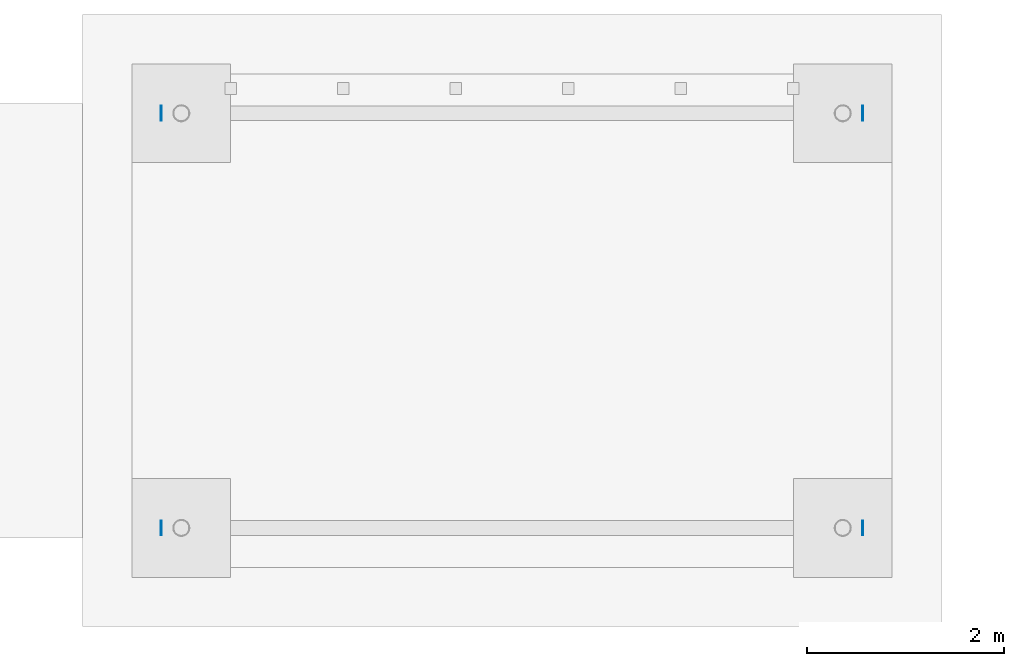
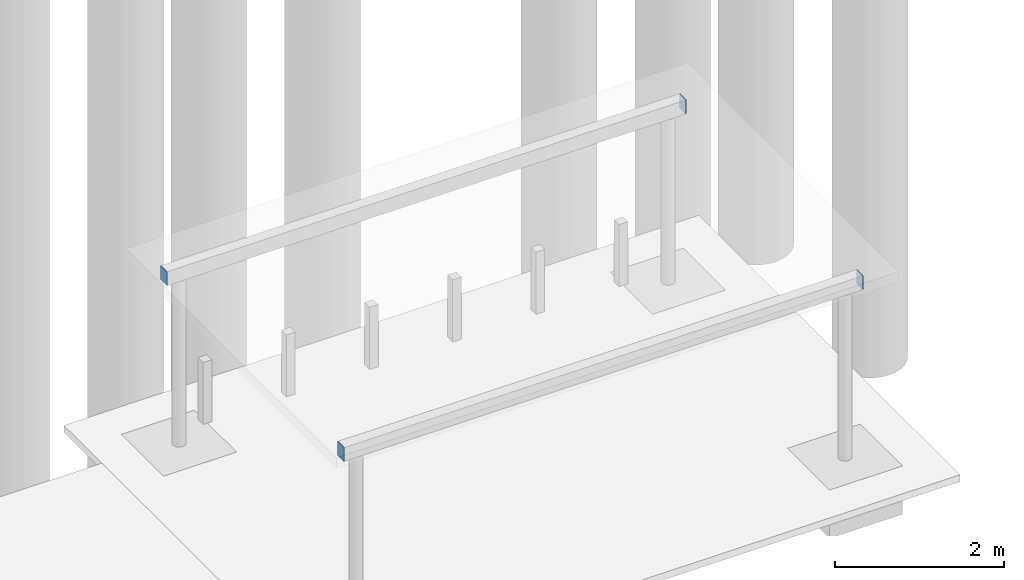
# One storey, part 58 of 99: 4 discrete accessories.
"""IFC4 building model written with IfcOpenShell, lengths in metres."""

from ifc_helpers import new_model, si_unit, direction, frame, origin, origin_2d, place, context, subcontext, project, spatial, rectangle, extrude, material, material_profile, profile_set, type_object, element, save


model = new_model("IFC4")

# Units and contexts
model_context = context("Model", 3, precision=1e-05, world=origin(), true_north=direction((0.0, 1.0)))
body_context = subcontext(model_context, "Body", "Model", "MODEL_VIEW")
ifc_project = project(units=[si_unit("LENGTHUNIT", "METRE"), si_unit("AREAUNIT", "SQUARE_METRE"), si_unit("VOLUMEUNIT", "CUBIC_METRE"), si_unit("PLANEANGLEUNIT", "RADIAN"), si_unit("MASSUNIT", "GRAM", prefix="KILO")], contexts=[model_context])

# Site, building, storey
site_placement = place(None, origin())
site = spatial("IfcSite", under=ifc_project, at=site_placement, CompositionType="ELEMENT")
building_placement = place(site_placement, origin())
building = spatial("IfcBuilding", under=site, at=building_placement, Name="Cour d'Honneur Mobility Palace", CompositionType="ELEMENT")
storey_placement = place(building_placement, origin())
storey = spatial("IfcBuildingStorey", under=building, at=storey_placement, Name="L00", CompositionType="ELEMENT", Elevation=0.0)

# Discrete accessories
ifc_material = material(Name="Steel S355", Category="steel")
ifc_material_profile = material_profile(ifc_material, rectangle(XDim=0.14990234375, YDim=0.199951171875, at=origin_2d()), Name="PL 200x150x10")
ifc_profile_set = profile_set([ifc_material_profile], Name="Steel S355")
discrete_accessory_type = type_object("IfcDiscreteAccessoryType", Name="End cap plate RHS 200x150x8", PredefinedType="USERDEFINED", material=ifc_profile_set)
for number, where, z_axis, x_axis, name in (
    (1, (40.18994140625, 15.39990234375, 2.5), (1.0, 0.0, 0.0), (0.0, 1.0, 0.0), "End cap plate EC-SB-W1-1"),
    (2, (47.300048828125, 15.39990234375, 2.5), (1.0, 0.0, 0.0), (0.0, 1.0, 0.0), "End cap plate EC-SB-W1-2"),
    (3, (40.18994140625, 19.60009765625, 2.5), (1.0, 0.0, 0.0), (0.0, 1.0, 0.0), "End cap plate EC-SB-W2-1"),
    (4, (47.300048828125, 19.60009765625, 2.5), (1.0, 0.0, 0.0), (0.0, 1.0, 0.0), "End cap plate EC-SB-W2-2"),
):
    element("IfcDiscreteAccessory", number, at=place(storey_placement, frame(where, z_axis=z_axis, x_axis=x_axis)), inside=storey, type_object=discrete_accessory_type, Name=name, ObjectType="END CAP PLATE", PredefinedType="USERDEFINED", context=body_context, shape_type="SweptSolid", body=[
        extrude(rectangle(XDim=0.14990234375, YDim=0.199951171875, at=origin_2d()), origin(), (0.0, 0.0, 1.0), 0.010009765625),
    ])

save(model, "model.ifc")
